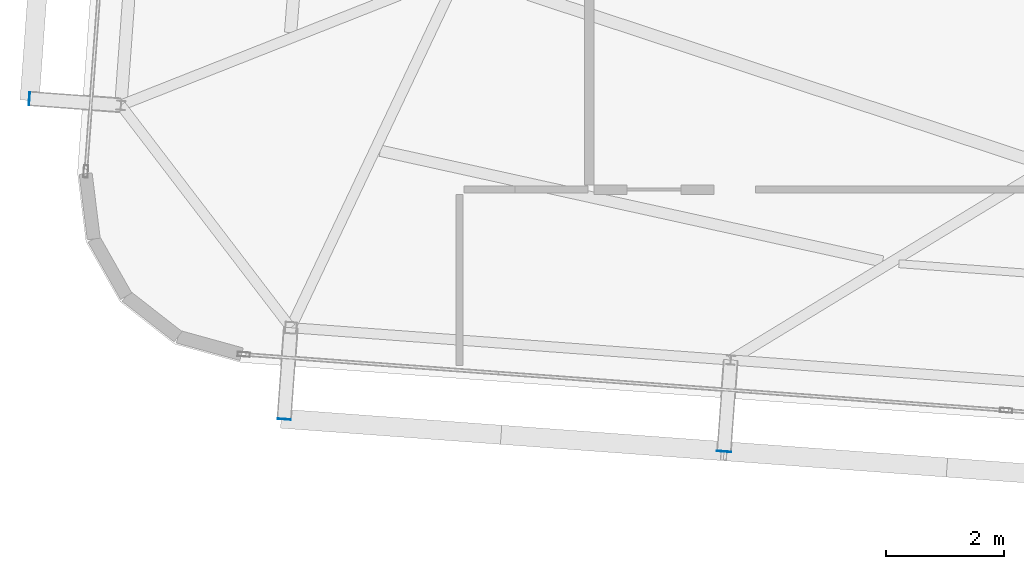
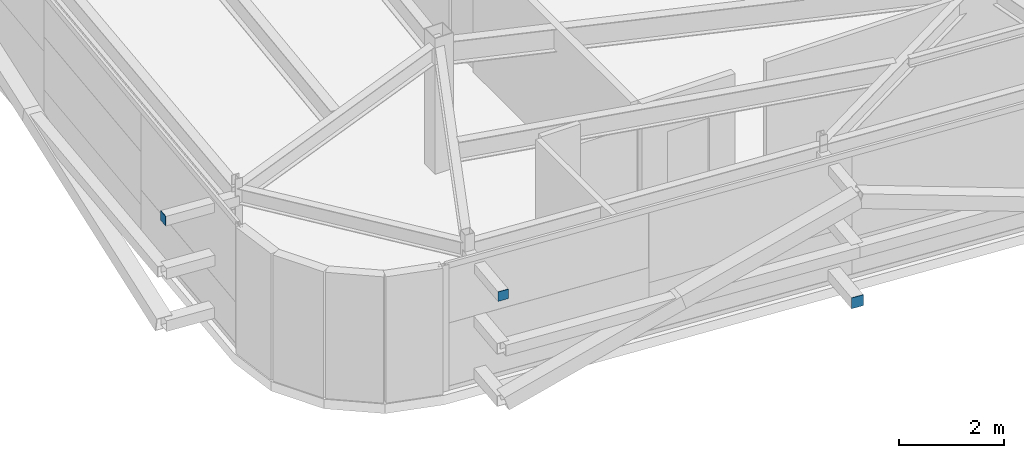
# One storey, part 24 of 34: 3 plates.
"""IFC4 building model written with IfcOpenShell, lengths in metres."""

from ifc_helpers import new_model, si_unit, direction, frame, origin, origin_2d, place, context, subcontext, project, spatial, rectangle, extrude, source, transform, mapped, material, layer, layer_set, type_object, element, save


model = new_model("IFC4")

# Units and contexts
model_context = context("Model", 3, precision=1e-05, world=origin(), true_north=direction((0.0, 1.0)))
body_context = subcontext(model_context, "Body", "Model", "MODEL_VIEW")
ifc_project = project(units=[si_unit("LENGTHUNIT", "METRE"), si_unit("AREAUNIT", "SQUARE_METRE"), si_unit("VOLUMEUNIT", "CUBIC_METRE"), si_unit("PLANEANGLEUNIT", "RADIAN"), si_unit("MASSUNIT", "GRAM", prefix="KILO")], contexts=[model_context])

# Site, building, storey
site_placement = place(None, origin())
site = spatial("IfcSite", under=ifc_project, at=site_placement, CompositionType="ELEMENT")
building_placement = place(site_placement, origin())
building = spatial("IfcBuilding", under=site, at=building_placement, Name="Taldren Reach Tower", CompositionType="ELEMENT")
storey_placement = place(building_placement, frame((0.0, 0.0, 242.89990234375)))
storey = spatial("IfcBuildingStorey", under=building, at=storey_placement, Name="L74", CompositionType="ELEMENT", Elevation=242.89990234375)

# Plates
ifc_material_1 = material(Name="Steel Gr 350 (C350L0)", Category="steel")
ifc_layer_1 = layer(ifc_material_1, 0.011962890625)
ifc_layer_set_1 = layer_set([ifc_layer_1], Name="Steel Gr 350 (C350L0)")
plate_type_1 = type_object("IfcPlateType", Name="PL-CAP-250", PredefinedType="SHEET", material=ifc_layer_set_1)
shared_shape_1 = source(origin(), body_context, "Body", "SweptSolid", [
    extrude(rectangle(XDim=0.25, YDim=0.011962890625, at=origin_2d()), origin(), (0.0, 0.0, 1.0), 0.25),
])
plate_1_placement = place(storey_placement, frame((22.486572265625, 4.360595703125, 0.09521484375), z_axis=(0.0, 0.0, 1.0), x_axis=(0.997314477224, -0.073238197128, 0.0)))
element("IfcPlate", 1, at=plate_1_placement, inside=storey, type_object=plate_type_1, Name="Tie strut end cap plate B5-S2 L74", PredefinedType="SHEET", context=body_context, shape_type="MappedRepresentation", body=[
    mapped(shared_shape_1, transform((0.0, 0.0, 0.0), scale=1.0)),
])
ifc_material_2 = material(Name="Steel Gr 450 (C450L0)", Category="steel")
ifc_layer_2 = layer(ifc_material_2, 0.011962890625)
ifc_layer_set_2 = layer_set([ifc_layer_2], Name="Steel Gr 450 (C450L0)")
plate_type_2 = type_object("IfcPlateType", Name="PL-CAP-220", PredefinedType="SHEET", material=ifc_layer_set_2)
shared_shape_2 = source(origin(), body_context, "Body", "SweptSolid", [
    extrude(rectangle(XDim=0.219970703125, YDim=0.011962890625, at=origin_2d()), origin(), (0.0, 0.0, 1.0), 0.219970703125),
])
plate_2_placement = place(storey_placement, frame((15.026611328125, 4.908447265625, 2.5400390625), z_axis=(0.0, 0.0, 1.0), x_axis=(0.997314477224, -0.073238197128, 0.0)))
element("IfcPlate", 2, at=plate_2_placement, inside=storey, type_object=plate_type_2, Name="Tie strut end cap plate B5-S1 L74", PredefinedType="SHEET", context=body_context, shape_type="MappedRepresentation", body=[
    mapped(shared_shape_2, transform((0.0, 0.0, 0.0), scale=1.0)),
])
shared_shape_3 = source(origin(), body_context, "Body", "SweptSolid", [
    extrude(rectangle(XDim=0.011962890625, YDim=0.219970703125, at=origin_2d()), origin(), (0.0, 0.0, 1.0), 0.219970703125),
])
plate_3_placement = place(storey_placement, frame((10.707275390625, 10.345458984375, 2.5400390625), z_axis=(0.0, 0.0, 1.0), x_axis=(0.997314477224, -0.073238197128, 0.0)))
element("IfcPlate", 3, at=plate_3_placement, inside=storey, type_object=plate_type_2, Name="Tie strut end cap plate B5-W1 L74", PredefinedType="SHEET", context=body_context, shape_type="MappedRepresentation", body=[
    mapped(shared_shape_3, transform((0.0, 0.0, 0.0), scale=1.0)),
])

save(model, "model.ifc")
